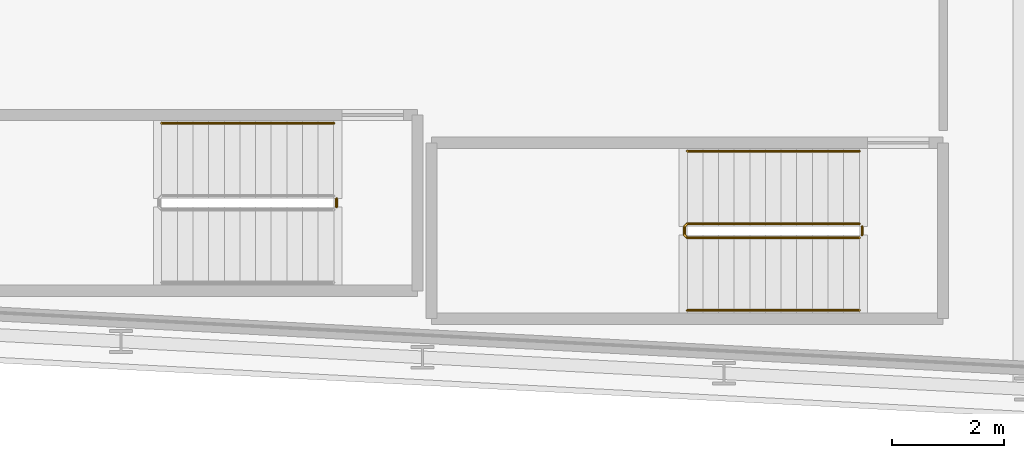
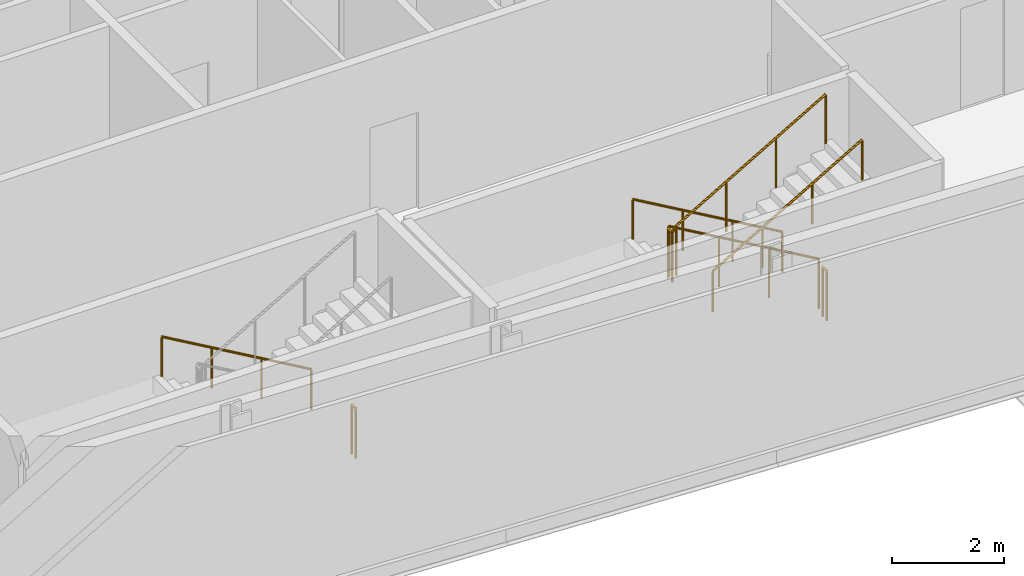
# One storey, part 25 of 28: 6 railings.
"""IFC4 building model written with IfcOpenShell, lengths in metres."""

import ifcopenshell
import ifcopenshell.guid

model = None  # the IFC model being written
_history = None  # IfcOwnerHistory: only IFC2X3 demands one
_inside = {}  # id of a spatial element -> (the spatial element, [elements in it])
_under = {}  # id of a project, library or spatial element -> (it, [spatial elements below it])
_declared = {}  # id of a project -> (the project, [libraries it declares])
_typed = {}  # id of a type object -> (the type object, [elements of that type])
_made_of = {}  # id of a material, layer set ... -> (it, [elements and type objects made of it])


def new_model(schema):
    """Start an empty IFC model of exactly this schema.

    Asked for "IFC4X3", IfcOpenShell would pick the latest addendum, in which some entities
    have other attributes; the version numbers below select the first issue.
    IFC2X3 requires an IfcOwnerHistory on every rooted entity: one is made here for all.
    """
    global model, _history
    if schema == "IFC4X3":
        model = ifcopenshell.file(schema_version=(4, 3, 0, 0))
    else:
        model = ifcopenshell.file(schema=schema)
    _inside.clear()
    _under.clear()
    _declared.clear()
    _typed.clear()
    _made_of.clear()
    _history = None
    if model.schema == "IFC2X3":
        org = make("IfcOrganization", Name="unknown")
        user = make(
            "IfcPersonAndOrganization",
            ThePerson=make("IfcPerson", FamilyName="unknown"),
            TheOrganization=org,
        )
        app = make(
            "IfcApplication",
            ApplicationDeveloper=org,
            Version="unknown",
            ApplicationFullName="unknown",
            ApplicationIdentifier="unknown",
        )
        _history = make(
            "IfcOwnerHistory",
            OwningUser=user,
            OwningApplication=app,
            ChangeAction="ADDED",
            CreationDate=0,
        )
    return model


def make(cls, **values):
    """One entity of the class cls with the attributes given. An attribute that is None is left unset."""
    return model.create_entity(
        cls, **{name: value for name, value in values.items() if value is not None}
    )


def rooted(cls, **values):
    """An entity with a GlobalId (a new one), such as an element, a storey or a relation."""
    return make(cls, GlobalId=ifcopenshell.guid.new(), OwnerHistory=_history, **values)


def si_unit(unit_type, name, prefix=None):
    """IfcSIUnit, for example si_unit("LENGTHUNIT", "METRE", prefix="MILLI")."""
    return make("IfcSIUnit", UnitType=unit_type, Prefix=prefix, Name=name)


def assignment(units):
    """IfcUnitAssignment: the units of a project."""
    return None if units is None else make("IfcUnitAssignment", Units=units)


def point(xyz):
    """IfcCartesianPoint."""
    return None if xyz is None else make("IfcCartesianPoint", Coordinates=xyz)


def direction(xyz):
    """IfcDirection."""
    return None if xyz is None else make("IfcDirection", DirectionRatios=xyz)


def frame(location, z_axis=None, x_axis=None):
    """IfcAxis2Placement3D, a coordinate frame: its origin and axes. An axis left out is left unset."""
    return make(
        "IfcAxis2Placement3D",
        Location=point(location),
        Axis=direction(z_axis),
        RefDirection=direction(x_axis),
    )


def frame_2d(location, x_axis=None):
    """IfcAxis2Placement2D, a coordinate frame in the plane: its origin and x axis."""
    return make(
        "IfcAxis2Placement2D", Location=point(location), RefDirection=direction(x_axis)
    )


def origin():
    """The frame at (0, 0, 0) with its axes left unset."""
    return frame((0.0, 0.0, 0.0))


def origin_2d():
    """The frame at (0, 0) in the plane with its x axis left unset."""
    return frame_2d((0.0, 0.0))


def place(relative_to, where):
    """IfcLocalPlacement: puts the frame where relative to a parent placement (None: the world)."""
    return make(
        "IfcLocalPlacement", PlacementRelTo=relative_to, RelativePlacement=where
    )


def context(
    kind, dimensions, precision=None, world=None, true_north=None, identifier=None
):
    """IfcGeometricRepresentationContext, for example the 3D "Model" context."""
    return make(
        "IfcGeometricRepresentationContext",
        ContextIdentifier=identifier,
        ContextType=kind,
        CoordinateSpaceDimension=dimensions,
        Precision=precision,
        WorldCoordinateSystem=world,
        TrueNorth=true_north,
    )


def subcontext(parent, identifier, kind, view, scale=None):
    """IfcGeometricRepresentationSubContext, for example "Body" below "Model"."""
    return make(
        "IfcGeometricRepresentationSubContext",
        ContextIdentifier=identifier,
        ContextType=kind,
        ParentContext=parent,
        TargetScale=scale,
        TargetView=view,
    )


def project(units=None, contexts=None):
    """IfcProject with its units and contexts."""
    return rooted(
        "IfcProject",
        Name="project",
        RepresentationContexts=contexts,
        UnitsInContext=assignment(units),
    )


def spatial(cls, under=None, at=None, **own):
    """A site, building, storey or space (cls), placed at a placement, below another one or the project."""
    s = rooted(cls, ObjectPlacement=at, **own)
    if under is not None:
        _under.setdefault(under.id(), (under, []))[1].append(s)
    return s


def profile(cls, at=None, kind="AREA", **sizes):
    """A parametric profile (cls). Its sizes go by their IFC names, for example OverallWidth=200.0."""
    return make(cls, ProfileType=kind, Position=at, **sizes)


def circle(**sizes):
    """IfcCircleProfileDef."""
    return profile("IfcCircleProfileDef", **sizes)


def extrude(swept, where, along, depth):
    """IfcExtrudedAreaSolid: the profile swept, set in the frame where, extruded along a direction by depth."""
    return make(
        "IfcExtrudedAreaSolid",
        SweptArea=swept,
        Position=where,
        ExtrudedDirection=direction(along),
        Depth=depth,
    )


def shape(context_of_items, identifier, shape_type, items):
    """IfcShapeRepresentation: the items that make up one representation, for example the "Body"."""
    return make(
        "IfcShapeRepresentation",
        ContextOfItems=context_of_items,
        RepresentationIdentifier=identifier,
        RepresentationType=shape_type,
        Items=items,
    )


def material(Name=None, Category=None):
    """IfcMaterial."""
    return make("IfcMaterial", Name=Name, Category=Category)


def made_of(thing, what):
    """Note that an element or type object is made of a material, layer set ...; save() writes the relation."""
    if what is not None:
        _made_of.setdefault(what.id(), (what, []))[1].append(thing)
    return thing


def type_object(cls, material=None, **own):
    """A type object (cls), such as IfcWallType, which elements share."""
    return made_of(rooted(cls, **own), material)


def element(
    cls,
    number,
    at=None,
    inside=None,
    cuts=None,
    type_object=None,
    material=None,
    context=None,
    identifier="Body",
    shape_type=None,
    held_by="IfcProductDefinitionShape",
    body=None,
    shapes=None,
    **own,
):
    """One element of the class cls, such as IfcWall. Its Tag is "e" and its number.

    at: its placement. inside: the storey or other place that contains it. cuts: it is an
    opening in that element (IfcRelVoidsElement). A single representation is given by context,
    identifier, shape_type and body (its items); several are given by shapes. held_by: the class
    of the entity that holds the representations. save() writes the other relations.
    """
    e = rooted(cls, Tag="e%d" % number, ObjectPlacement=at, **own)
    if body is not None:
        shapes = [shape(context, identifier, shape_type, body)]
    if shapes is not None:
        e.Representation = make(held_by, Representations=shapes)
    if inside is not None:
        _inside.setdefault(inside.id(), (inside, []))[1].append(e)
    if cuts is not None:
        rooted(
            "IfcRelVoidsElement", RelatingBuildingElement=cuts, RelatedOpeningElement=e
        )
    if type_object is not None:
        _typed.setdefault(type_object.id(), (type_object, []))[1].append(e)
    return made_of(e, material)


def aggregate(whole, parts):
    """IfcRelAggregates: a whole, such as a stair, and the parts it consists of."""
    return rooted("IfcRelAggregates", RelatingObject=whole, RelatedObjects=parts)


def save(model, path):
    """Write the relations noted so far, then the file.

    IfcRelAggregates (storeys below a building ...), IfcRelContainedInSpatialStructure (elements
    in a storey), IfcRelDefinesByType, IfcRelAssociatesMaterial and IfcRelDeclares: one each for
    every whole, place, type object, material and project.
    """
    for whole, parts in _under.values():
        aggregate(whole, parts)
    for where, things in _inside.values():
        rooted(
            "IfcRelContainedInSpatialStructure",
            RelatedElements=things,
            RelatingStructure=where,
        )
    for kind, things in _typed.values():
        rooted("IfcRelDefinesByType", RelatedObjects=things, RelatingType=kind)
    for what, things in _made_of.values():
        rooted("IfcRelAssociatesMaterial", RelatedObjects=things, RelatingMaterial=what)
    for by, libraries in _declared.values():
        rooted("IfcRelDeclares", RelatingContext=by, RelatedDefinitions=libraries)
    model.write(path)


model = new_model("IFC4")

# Units and contexts
model_context = context("Model", 3, precision=1e-05, world=origin(), true_north=direction((0.0, 1.0)))
body_context = subcontext(model_context, "Body", "Model", "MODEL_VIEW")
ifc_project = project(units=[si_unit("LENGTHUNIT", "METRE"), si_unit("AREAUNIT", "SQUARE_METRE"), si_unit("VOLUMEUNIT", "CUBIC_METRE"), si_unit("PLANEANGLEUNIT", "RADIAN"), si_unit("MASSUNIT", "GRAM", prefix="KILO")], contexts=[model_context])

# Site, building, storey
site_placement = place(None, origin())
site = spatial("IfcSite", under=ifc_project, at=site_placement, CompositionType="ELEMENT")
building_placement = place(site_placement, origin())
building = spatial("IfcBuilding", under=site, at=building_placement, Name="Kheshtan School and Residences Tower", CompositionType="ELEMENT")
storey_placement = place(building_placement, frame((0.0, 0.0, 187.699951171875)))
storey = spatial("IfcBuildingStorey", under=building, at=storey_placement, Name="L44", CompositionType="ELEMENT", Elevation=187.699951171875)

# Railings
ifc_material_1 = material(Name="Stainless steel balustrade", Category="steel")
railing_type_1 = type_object("IfcRailingType", Name="Stair guard 1100", PredefinedType="GUARDRAIL", material=ifc_material_1)
railing_1_placement = place(storey_placement, frame((87.820068359375, 23.949951171875, 0.16259765625)))
element("IfcRailing", 1, at=railing_1_placement, inside=storey, type_object=railing_type_1, Name="L44 ST4 stair guard 1", PredefinedType="GUARDRAIL", context=body_context, shape_type="SweptSolid", body=[
    extrude(circle(Radius=0.02392578125, at=origin_2d()), frame((0.0, 0.0, 1.076171875), z_axis=(-0.864920483161, 0.0, 0.501908913857), x_axis=(0.0, -1.0, 0.0)), (0.0, 0.0, 1.0), 3.56103515625),
    extrude(circle(Radius=0.02392578125, at=origin_2d()), frame((-3.080078125, 0.0, 2.86328125), z_axis=(-0.707106781187, -0.707106781187, 0.0), x_axis=(0.707106781187, -0.707106781187, 0.0)), (0.0, 0.0, 1.0), 0.07080078125),
    extrude(circle(Radius=0.02392578125, at=origin_2d()), frame((-3.130126953125, -0.050048828125, 2.86328125), z_axis=(0.0, -1.0, 0.0), x_axis=(1.0, 0.0, 0.0)), (0.0, 0.0, 1.0), 0.14990234375),
    extrude(circle(Radius=0.02392578125, at=origin_2d()), frame((-3.130126953125, -0.199951171875, 2.86328125), z_axis=(0.282227285176, -0.282227285176, 0.916894497205), x_axis=(0.707106781187, 0.707106781187, 0.0)), (0.0, 0.0, 1.0), 0.17724609375),
    extrude(circle(Radius=0.02392578125, at=origin_2d()), frame((-3.080078125, -0.25, 3.02587890625), z_axis=(0.864890721111, 0.0, 0.501960198159), x_axis=(0.0, 1.0, 0.0)), (0.0, 0.0, 1.0), 3.561279296875),
    extrude(circle(Radius=0.02099609375, at=origin_2d()), origin(), (0.0, 0.0, 1.0), 1.052001953125),
    extrude(circle(Radius=0.02099609375, at=origin_2d()), frame((-1.026611328125, 0.0, 0.595703125)), (0.0, 0.0, 1.0), 1.052001953125),
    extrude(circle(Radius=0.02099609375, at=origin_2d()), frame((-2.053466796875, 0.0, 1.191650390625)), (0.0, 0.0, 1.0), 1.052001953125),
    extrude(circle(Radius=0.02099609375, at=origin_2d()), frame((-3.080078125, 0.0, 1.787353515625)), (0.0, 0.0, 1.0), 1.052001953125),
    extrude(circle(Radius=0.02099609375, at=origin_2d()), frame((-3.130126953125, -0.050048828125, 1.787353515625)), (0.0, 0.0, 1.0), 1.052001953125),
    extrude(circle(Radius=0.02099609375, at=origin_2d()), frame((-3.130126953125, -0.199951171875, 1.787353515625)), (0.0, 0.0, 1.0), 1.052001953125),
    extrude(circle(Radius=0.02099609375, at=origin_2d()), frame((-3.080078125, -0.25, 1.949951171875)), (0.0, 0.0, 1.0), 1.052001953125),
    extrude(circle(Radius=0.02099609375, at=origin_2d()), frame((-2.053466796875, -0.25, 2.5458984375)), (0.0, 0.0, 1.0), 1.052001953125),
    extrude(circle(Radius=0.02099609375, at=origin_2d()), frame((-1.026611328125, -0.25, 3.1416015625)), (0.0, 0.0, 1.0), 1.052001953125),
    extrude(circle(Radius=0.02099609375, at=origin_2d()), frame((0.0, -0.25, 3.737548828125)), (0.0, 0.0, 1.0), 1.052001953125),
])
for number, where, name in (
    (2, (87.8701171875, 23.89990234375, 0.0), "L44 ST4 stair guard 2"),
    (3, (78.4599609375, 24.39990234375, 0.0), "L44 ST5 stair guard 2"),
):
    element("IfcRailing", number, at=place(storey_placement, frame(where)), inside=storey, type_object=railing_type_1, Name=name, PredefinedType="GUARDRAIL", context=body_context, shape_type="SweptSolid", body=[
        extrude(circle(Radius=0.02392578125, at=origin_2d()), frame((0.0, 0.0, 1.076171875), z_axis=(0.0, -1.0, 0.0), x_axis=(1.0, 0.0, 0.0)), (0.0, 0.0, 1.0), 0.14990234375),
        extrude(circle(Radius=0.02099609375, at=origin_2d()), origin(), (0.0, 0.0, 1.0), 1.052001953125),
        extrude(circle(Radius=0.02099609375, at=origin_2d()), frame((0.0, -0.14990234375, 0.0)), (0.0, 0.0, 1.0), 1.052001953125),
    ])
ifc_material_2 = material(Name="Stainless steel handrail", Category="steel")
railing_type_2 = type_object("IfcRailingType", Name="Stair handrail 900", PredefinedType="HANDRAIL", material=ifc_material_2)
railing_2_placement = place(storey_placement, frame((87.820068359375, 25.25, 0.16259765625)))
element("IfcRailing", 4, at=railing_2_placement, inside=storey, type_object=railing_type_2, Name="L44 ST4 stair handrail 1", PredefinedType="HANDRAIL", context=body_context, shape_type="SweptSolid", body=[
    extrude(circle(Radius=0.02392578125, at=origin_2d()), frame((0.0, 0.0, 0.8759765625), z_axis=(-0.864920483161, 0.0, 0.501908913857), x_axis=(0.0, -1.0, 0.0)), (0.0, 0.0, 1.0), 3.56103515625),
    extrude(circle(Radius=0.02099609375, at=origin_2d()), origin(), (0.0, 0.0, 1.0), 0.851806640625),
    extrude(circle(Radius=0.02099609375, at=origin_2d()), frame((-1.026611328125, 0.0, 0.595703125)), (0.0, 0.0, 1.0), 0.851806640625),
    extrude(circle(Radius=0.02099609375, at=origin_2d()), frame((-2.053466796875, 0.0, 1.191650390625)), (0.0, 0.0, 1.0), 0.851806640625),
    extrude(circle(Radius=0.02099609375, at=origin_2d()), frame((-3.080078125, 0.0, 1.787353515625)), (0.0, 0.0, 1.0), 0.851806640625),
])
railing_3_placement = place(storey_placement, frame((84.739990234375, 22.39990234375, 2.112548828125)))
element("IfcRailing", 5, at=railing_3_placement, inside=storey, type_object=railing_type_2, Name="L44 ST4 stair handrail 2", PredefinedType="HANDRAIL", context=body_context, shape_type="SweptSolid", body=[
    extrude(circle(Radius=0.02392578125, at=origin_2d()), frame((0.0, 0.0, 0.8759765625), z_axis=(0.864890721111, 0.0, 0.501960198159), x_axis=(0.0, 1.0, 0.0)), (0.0, 0.0, 1.0), 3.561279296875),
    extrude(circle(Radius=0.02099609375, at=origin_2d()), origin(), (0.0, 0.0, 1.0), 0.851806640625),
    extrude(circle(Radius=0.02099609375, at=origin_2d()), frame((1.026611328125, 0.0, 0.595947265625)), (0.0, 0.0, 1.0), 0.851806640625),
    extrude(circle(Radius=0.02099609375, at=origin_2d()), frame((2.053466796875, 0.0, 1.191650390625)), (0.0, 0.0, 1.0), 0.851806640625),
    extrude(circle(Radius=0.02099609375, at=origin_2d()), frame((3.080078125, 0.0, 1.78759765625)), (0.0, 0.0, 1.0), 0.851806640625),
])
railing_4_placement = place(storey_placement, frame((78.409912109375, 25.75, 0.16259765625)))
element("IfcRailing", 6, at=railing_4_placement, inside=storey, type_object=railing_type_2, Name="L44 ST5 stair handrail 1", PredefinedType="HANDRAIL", context=body_context, shape_type="SweptSolid", body=[
    extrude(circle(Radius=0.02392578125, at=origin_2d()), frame((0.0, 0.0, 0.8759765625), z_axis=(-0.864903211148, 0.0, 0.501938676878), x_axis=(0.0, -1.0, 0.0)), (0.0, 0.0, 1.0), 3.560791015625),
    extrude(circle(Radius=0.02099609375, at=origin_2d()), origin(), (0.0, 0.0, 1.0), 0.851806640625),
    extrude(circle(Radius=0.02099609375, at=origin_2d()), frame((-1.026611328125, 0.0, 0.595703125)), (0.0, 0.0, 1.0), 0.851806640625),
    extrude(circle(Radius=0.02099609375, at=origin_2d()), frame((-2.05322265625, 0.0, 1.191650390625)), (0.0, 0.0, 1.0), 0.851806640625),
    extrude(circle(Radius=0.02099609375, at=origin_2d()), frame((-3.079833984375, 0.0, 1.787353515625)), (0.0, 0.0, 1.0), 0.851806640625),
])

save(model, "model.ifc")
